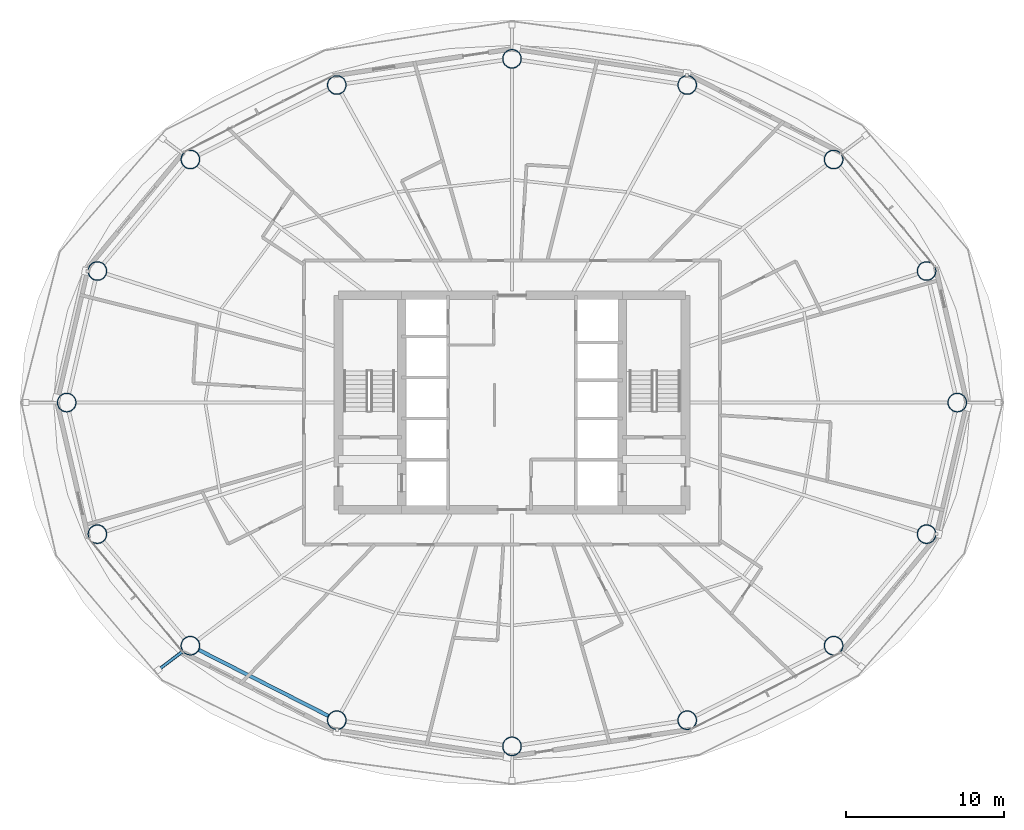
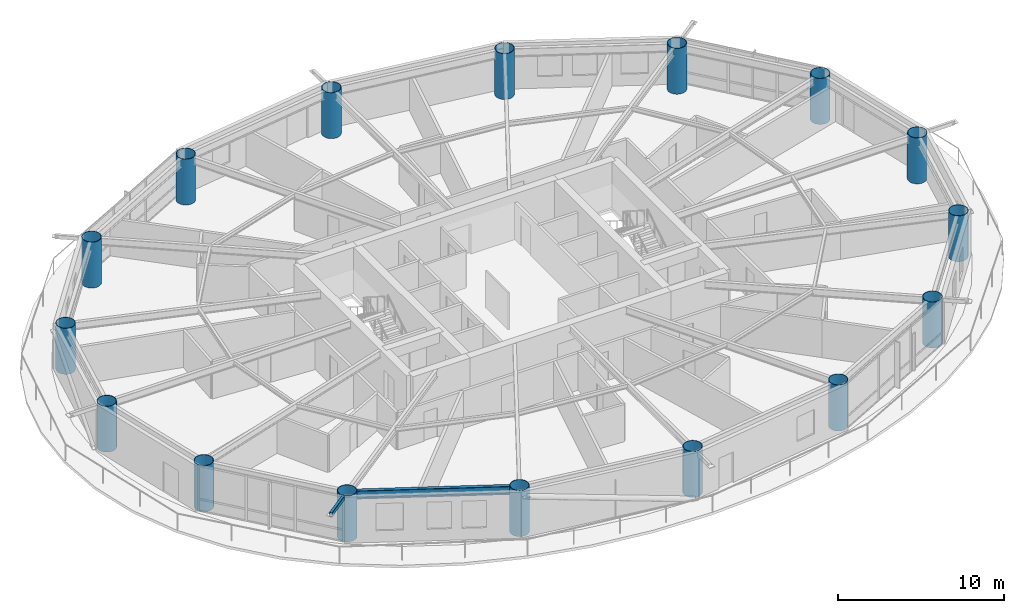
# One storey, part 1 of 24: 16 columns, 1 beam, 1 member.
"""IFC4 building model written with IfcOpenShell, lengths in metres."""

from ifc_helpers import new_model, si_unit, direction, frame, origin, origin_2d, place, context, subcontext, project, spatial, hollow_rectangle, hollow_circle, i_section, extrude, material, material_profile, profile_set, type_object, element, save


model = new_model("IFC4")

# Units and contexts
model_context = context("Model", 3, precision=1e-05, world=origin(), true_north=direction((0.0, 1.0)))
body_context = subcontext(model_context, "Body", "Model", "MODEL_VIEW")
ifc_project = project(units=[si_unit("LENGTHUNIT", "METRE"), si_unit("AREAUNIT", "SQUARE_METRE"), si_unit("VOLUMEUNIT", "CUBIC_METRE"), si_unit("PLANEANGLEUNIT", "RADIAN"), si_unit("MASSUNIT", "GRAM", prefix="KILO")], contexts=[model_context])

# Site, building, storey
site_placement = place(None, origin())
site = spatial("IfcSite", under=ifc_project, at=site_placement, CompositionType="ELEMENT")
building_placement = place(site_placement, origin())
building = spatial("IfcBuilding", under=site, at=building_placement, Name="Sarneth Arch Tower", CompositionType="ELEMENT")
storey_placement = place(building_placement, frame((0.0, 0.0, 94.800048828125)))
storey = spatial("IfcBuildingStorey", under=building, at=storey_placement, Name="L23", CompositionType="ELEMENT", Elevation=94.800048828125)

# Columns
ifc_material_1 = material(Name="Steel S355", Category="steel")
ifc_material_profile_1 = material_profile(ifc_material_1, hollow_circle(Radius=0.60009765625, WallThickness=0.031982421875, at=origin_2d()), Name="CHS1200x32")
ifc_profile_set_1 = profile_set([ifc_material_profile_1], Name="Steel S355")
column_type = type_object("IfcColumnType", Name="COL-MEGA-1200", PredefinedType="COLUMN", material=ifc_profile_set_1)
for number, where, z_axis, x_axis, name in (
    (1, (76.236572265625, 42.0, 0.0), (0.0, 0.0, 1.0), (1.0, 0.0, 0.0), "L23 Perimeter mega-column M01"),
    (2, (74.291259765625, 50.342529296875, 0.0), (0.0, 0.0, 1.0), (1.0, 0.0, 0.0), "L23 Perimeter mega-column M02"),
    (3, (68.397705078125, 57.4150390625, 0.0), (0.0, 0.0, 1.0), (1.0, 0.0, 0.0), "L23 Perimeter mega-column M03"),
    (4, (59.1103515625, 62.140625, 0.0), (0.0, 0.0, 1.0), (1.0, 0.0, 0.0), "L23 Perimeter mega-column M04"),
    (5, (48.0, 63.800048828125, 0.0), (0.0, 0.0, 1.0), (1.0, 0.0, 0.0), "L23 Perimeter mega-column M05"),
    (6, (36.8896484375, 62.140625, 0.0), (0.0, 0.0, 1.0), (1.0, 0.0, 0.0), "L23 Perimeter mega-column M06"),
    (7, (27.602294921875, 57.4150390625, 0.0), (0.0, 0.0, 1.0), (1.0, 0.0, 0.0), "L23 Perimeter mega-column M07"),
    (8, (21.708740234375, 50.342529296875, 0.0), (0.0, 0.0, 1.0), (1.0, 0.0, 0.0), "L23 Perimeter mega-column M08"),
    (9, (19.763427734375, 42.0, 0.0), (0.0, 0.0, 1.0), (1.0, 0.0, 0.0), "L23 Perimeter mega-column M09"),
    (10, (21.708740234375, 33.657470703125, 0.0), (0.0, 0.0, 1.0), (1.0, 0.0, 0.0), "L23 Perimeter mega-column M10"),
    (11, (27.602294921875, 26.5849609375, 0.0), (0.0, 0.0, 1.0), (1.0, 0.0, 0.0), "L23 Perimeter mega-column M11"),
    (12, (36.8896484375, 21.859375, 0.0), (0.0, 0.0, 1.0), (1.0, 0.0, 0.0), "L23 Perimeter mega-column M12"),
    (13, (48.0, 20.199951171875, 0.0), (0.0, 0.0, 1.0), (1.0, 0.0, 0.0), "L23 Perimeter mega-column M13"),
    (14, (59.1103515625, 21.859375, 0.0), (0.0, 0.0, 1.0), (1.0, 0.0, 0.0), "L23 Perimeter mega-column M14"),
    (15, (68.397705078125, 26.5849609375, 0.0), (0.0, 0.0, 1.0), (1.0, 0.0, 0.0), "L23 Perimeter mega-column M15"),
    (16, (74.291259765625, 33.657470703125, 0.0), (0.0, 0.0, 1.0), (1.0, 0.0, 0.0), "L23 Perimeter mega-column M16"),
):
    element("IfcColumn", number, at=place(storey_placement, frame(where, z_axis=z_axis, x_axis=x_axis)), inside=storey, type_object=column_type, Name=name, PredefinedType="COLUMN", context=body_context, shape_type="SweptSolid", body=[
        extrude(hollow_circle(Radius=0.60009765625, WallThickness=0.031982421875, at=origin_2d()), origin(), (0.0, 0.0, 1.0), 3.3798828125),
    ])

# Beam
ifc_material_2 = material(Name="Steel S355", Category="steel")
ifc_material_profile_2 = material_profile(ifc_material_2, i_section(OverallWidth=0.22900390625, OverallDepth=0.612060546875, WebThickness=0.011962890625, FlangeThickness=0.01953125, FilletRadius=0.01904296875, at=origin_2d()), Name="W610x125")
ifc_profile_set_2 = profile_set([ifc_material_profile_2], Name="Steel S355")
beam_type = type_object("IfcBeamType", Name="BM-SPAN-610C", PredefinedType="SPANDREL", material=ifc_profile_set_2)
beam_placement = place(storey_placement, frame((28.13720703125, 26.31298828125, 3.073974609375), z_axis=(0.891259443414, -0.453493775619, 0.0), x_axis=(0.453493775619, 0.891259443414, 0.0)))
element("IfcBeam", 17, at=beam_placement, inside=storey, type_object=beam_type, Name="L23 Perimeter spandrel beam 11", PredefinedType="SPANDREL", context=body_context, shape_type="SweptSolid", body=[
    extrude(i_section(OverallWidth=0.22900390625, OverallDepth=0.612060546875, WebThickness=0.011962890625, FlangeThickness=0.01953125, FilletRadius=0.01904296875, at=origin_2d()), origin(), (0.0, 0.0, 1.0), 9.220458984375),
])

# Member
ifc_material_3 = material(Name="Steel S355", Category="steel")
ifc_material_profile_3 = material_profile(ifc_material_3, hollow_rectangle(XDim=0.199951171875, YDim=0.300048828125, WallThickness=0.012451171875, InnerFilletRadius=0.018798828125, OuterFilletRadius=0.03125, at=origin_2d()), Name="RHS300x200x12.5")
ifc_profile_set_3 = profile_set([ifc_material_profile_3], Name="Steel S355")
member_type = type_object("IfcMemberType", Name="MEM-CANT-STRUT", PredefinedType="STRUT", material=ifc_profile_set_3)
member_placement = place(storey_placement, frame((27.123779296875, 26.223388671875, 3.219970703125), z_axis=(-0.797794849031, -0.60292899985, 0.0), x_axis=(0.60292899985, -0.797794849031, 0.0)))
element("IfcMember", 18, at=member_placement, inside=storey, type_object=member_type, Name="L23 Balcony cantilever bracket 11", PredefinedType="STRUT", context=body_context, shape_type="SweptSolid", body=[
    extrude(hollow_rectangle(XDim=0.199951171875, YDim=0.300048828125, WallThickness=0.012451171875, InnerFilletRadius=0.018798828125, OuterFilletRadius=0.03125, at=origin_2d()), origin(), (0.0, 0.0, 1.0), 1.9443359375),
])

save(model, "model.ifc")
